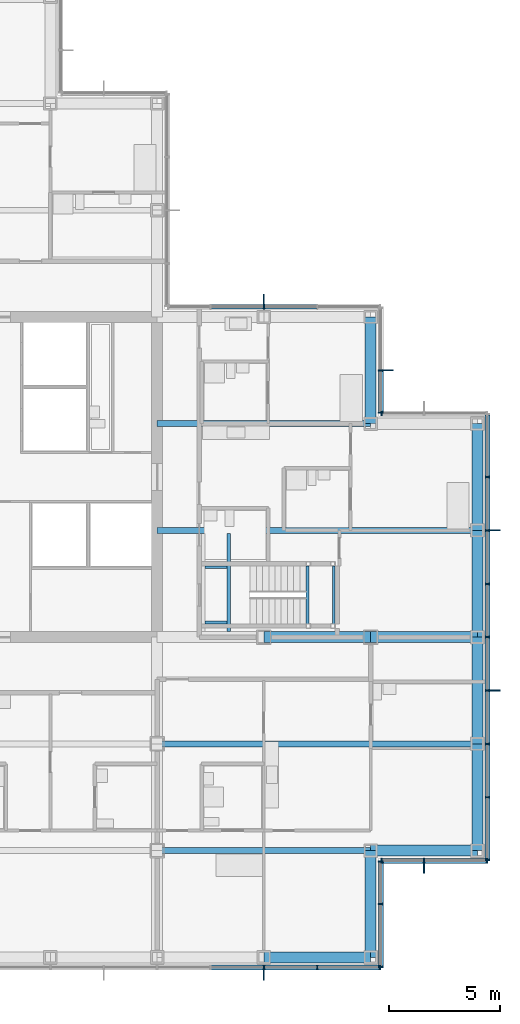
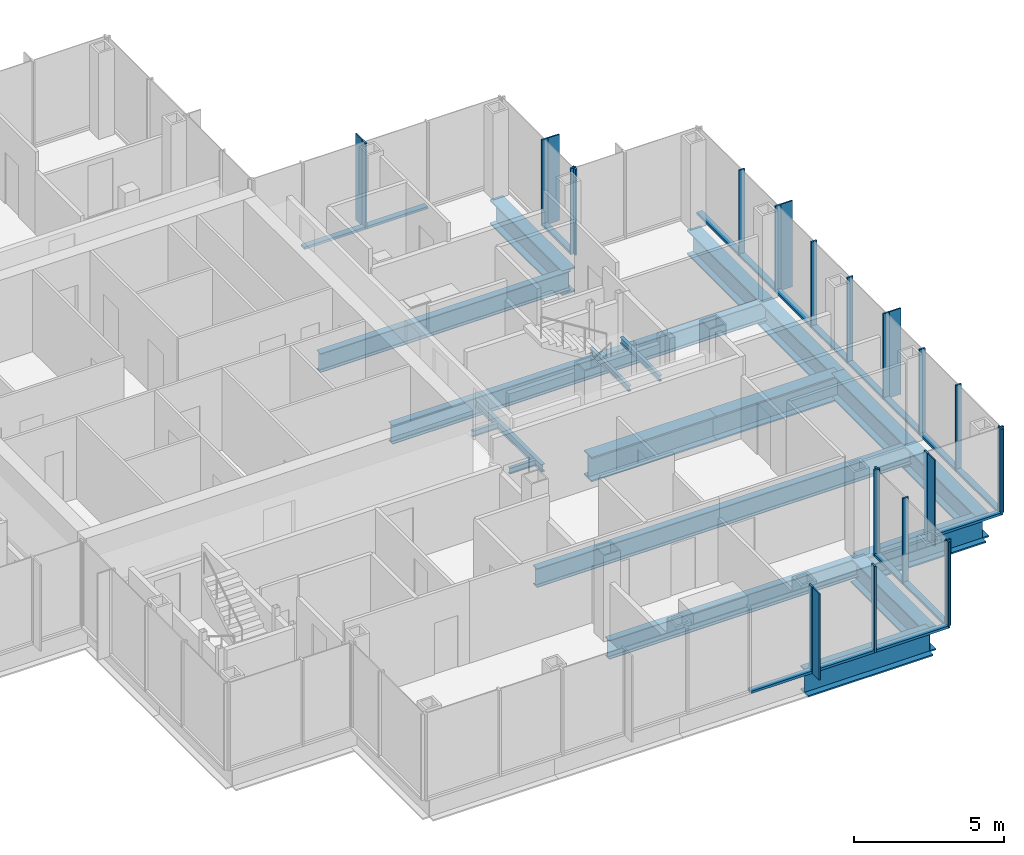
# One storey, part 8 of 20: 45 members, 19 beams, 7 elements without a shape of their own.
"""IFC4 building model written with IfcOpenShell, lengths in metres."""

from ifc_helpers import new_model, si_unit, direction, frame, origin, origin_2d, place, context, subcontext, project, spatial, rectangle, i_section, extrude, material, material_profile, profile_set, type_object, element, aggregate, save


model = new_model("IFC4")

# Units and contexts
model_context = context("Model", 3, precision=1e-05, world=origin(), true_north=direction((0.0, 1.0)))
body_context = subcontext(model_context, "Body", "Model", "MODEL_VIEW")
ifc_project = project(units=[si_unit("LENGTHUNIT", "METRE"), si_unit("AREAUNIT", "SQUARE_METRE"), si_unit("VOLUMEUNIT", "CUBIC_METRE"), si_unit("PLANEANGLEUNIT", "RADIAN"), si_unit("MASSUNIT", "GRAM", prefix="KILO")], contexts=[model_context])

# Site, building, storey
site_placement = place(None, origin())
site = spatial("IfcSite", under=ifc_project, at=site_placement, CompositionType="ELEMENT")
building_placement = place(site_placement, origin())
building = spatial("IfcBuilding", under=site, at=building_placement, Name="Kvirike Care Tower", CompositionType="ELEMENT")
storey_placement = place(building_placement, frame((0.0, 0.0, 126.0)))
storey = spatial("IfcBuildingStorey", under=building, at=storey_placement, Name="L34", CompositionType="ELEMENT", Elevation=126.0)

# Curtain wall, members
ifc_material_1 = material(Name="Anodised aluminium stick system", Category="aluminium")
curtain_wall_type = type_object("IfcCurtainWallType", Name="CW-B STICK CURTAIN WALL", PredefinedType="NOTDEFINED", material=ifc_material_1)
curtain_wall_1_placement = place(storey_placement, origin())
curtain_wall_1 = element("IfcCurtainWall", 1, at=curtain_wall_1_placement, inside=storey, type_object=curtain_wall_type, Name="Curtain wall L34 face 1", PredefinedType="NOTDEFINED")
ifc_material_2 = material(Name="Bronze anodised aluminium fin", Category="aluminium")
ifc_material_profile_1 = material_profile(ifc_material_2, rectangle(XDim=0.050048828125, YDim=0.449951171875, at=origin_2d()), Name="BRONZE FIN 450")
ifc_profile_set_1 = profile_set([ifc_material_profile_1], Name="Bronze anodised aluminium fin")
member_type_1 = type_object("IfcMemberType", Name="BRONZE FIN 450", PredefinedType="USERDEFINED", material=ifc_profile_set_1)
member_1_placement = place(storey_placement, frame((43.9951171875, 26.39990234375, 0.0), z_axis=(0.0, 0.0, 1.0), x_axis=(0.0, 1.0, 0.0)))
member_1 = element("IfcMember", 2, at=member_1_placement, type_object=member_type_1, Name="Bronze fin L34 face 1.4", ObjectType="FIN", PredefinedType="USERDEFINED", context=body_context, shape_type="SweptSolid", body=[
    extrude(rectangle(XDim=0.050048828125, YDim=0.449951171875, at=origin_2d()), origin(), (0.0, 0.0, 1.0), 3.5),
])
member_2_placement = place(storey_placement, frame((43.9951171875, 33.60009765625, 0.0), z_axis=(0.0, 0.0, 1.0), x_axis=(0.0, 1.0, 0.0)))
member_2 = element("IfcMember", 3, at=member_2_placement, type_object=member_type_1, Name="Bronze fin L34 face 1.7", ObjectType="FIN", PredefinedType="USERDEFINED", context=body_context, shape_type="SweptSolid", body=[
    extrude(rectangle(XDim=0.050048828125, YDim=0.449951171875, at=origin_2d()), origin(), (0.0, 0.0, 1.0), 3.5),
])

# Curtain wall, member
curtain_wall_2_placement = place(storey_placement, origin())
curtain_wall_2 = element("IfcCurtainWall", 4, at=curtain_wall_2_placement, inside=storey, type_object=curtain_wall_type, Name="Curtain wall L34 face 3", PredefinedType="NOTDEFINED")
member_3_placement = place(storey_placement, frame((39.195068359375, 40.800048828125, 0.0), z_axis=(0.0, 0.0, 1.0), x_axis=(0.0, 1.0, 0.0)))
member_3 = element("IfcMember", 5, at=member_3_placement, type_object=member_type_1, Name="Bronze fin L34 face 3.2", ObjectType="FIN", PredefinedType="USERDEFINED", context=body_context, shape_type="SweptSolid", body=[
    extrude(rectangle(XDim=0.050048828125, YDim=0.449951171875, at=origin_2d()), origin(), (0.0, 0.0, 1.0), 3.5),
])

curtain_wall_3_placement = place(storey_placement, origin())
curtain_wall_3 = element("IfcCurtainWall", 6, at=curtain_wall_3_placement, inside=storey, type_object=curtain_wall_type, Name="Curtain wall L34 face 4", PredefinedType="NOTDEFINED")
member_4_placement = place(storey_placement, frame((33.60009765625, 43.9951171875, 0.0), z_axis=(0.0, 0.0, 1.0), x_axis=(-1.0, 0.0, 0.0)))
member_4 = element("IfcMember", 7, at=member_4_placement, type_object=member_type_1, Name="Bronze fin L34 face 4.3", ObjectType="FIN", PredefinedType="USERDEFINED", context=body_context, shape_type="SweptSolid", body=[
    extrude(rectangle(XDim=0.050048828125, YDim=0.449951171875, at=origin_2d()), origin(), (0.0, 0.0, 1.0), 3.5),
])

curtain_wall_4_placement = place(storey_placement, origin())
curtain_wall_4 = element("IfcCurtainWall", 8, at=curtain_wall_4_placement, inside=storey, type_object=curtain_wall_type, Name="Curtain wall L34 face 18", PredefinedType="NOTDEFINED")
member_5_placement = place(storey_placement, frame((33.60009765625, 13.60498046875, 0.0), z_axis=(0.0, 0.0, 1.0), x_axis=(1.0, 0.0, 0.0)))
member_5 = element("IfcMember", 9, at=member_5_placement, type_object=member_type_1, Name="Bronze fin L34 face 18.7", ObjectType="FIN", PredefinedType="USERDEFINED", context=body_context, shape_type="SweptSolid", body=[
    extrude(rectangle(XDim=0.050048828125, YDim=0.449951171875, at=origin_2d()), origin(), (0.0, 0.0, 1.0), 3.5),
])

curtain_wall_5_placement = place(storey_placement, origin())
curtain_wall_5 = element("IfcCurtainWall", 10, at=curtain_wall_5_placement, inside=storey, type_object=curtain_wall_type, Name="Curtain wall L34 face 20", PredefinedType="NOTDEFINED")
member_6_placement = place(storey_placement, frame((40.800048828125, 18.405029296875, 0.0), z_axis=(0.0, 0.0, 1.0), x_axis=(1.0, 0.0, 0.0)))
member_6 = element("IfcMember", 11, at=member_6_placement, type_object=member_type_1, Name="Bronze fin L34 face 20.2", ObjectType="FIN", PredefinedType="USERDEFINED", context=body_context, shape_type="SweptSolid", body=[
    extrude(rectangle(XDim=0.050048828125, YDim=0.449951171875, at=origin_2d()), origin(), (0.0, 0.0, 1.0), 3.5),
])

# Member
ifc_material_3 = material(Name="Bronze anodised aluminium mullion", Category="aluminium")
ifc_material_profile_2 = material_profile(ifc_material_3, rectangle(XDim=0.06494140625, YDim=0.219970703125, at=origin_2d()), Name="CW-B MULLION 65x220")
ifc_profile_set_2 = profile_set([ifc_material_profile_2], Name="Bronze anodised aluminium mullion")
member_type_2 = type_object("IfcMemberType", Name="CW-B MULLION 65x220", PredefinedType="MULLION", material=ifc_profile_set_2)
member_7_placement = place(storey_placement, frame((43.659912109375, 18.7724609375, 0.0), z_axis=(0.0, 0.0, 1.0), x_axis=(0.0, 1.0, 0.0)))
member_7 = element("IfcMember", 12, at=member_7_placement, type_object=member_type_2, Name="CW-B mullion L34 face 1.1", PredefinedType="MULLION", context=body_context, shape_type="SweptSolid", body=[
    extrude(rectangle(XDim=0.06494140625, YDim=0.219970703125, at=origin_2d()), origin(), (0.0, 0.0, 1.0), 3.5),
])

member_8_placement = place(storey_placement, frame((43.659912109375, 21.60009765625, 0.0), z_axis=(0.0, 0.0, 1.0), x_axis=(0.0, 1.0, 0.0)))
member_8 = element("IfcMember", 13, at=member_8_placement, type_object=member_type_2, Name="CW-B mullion L34 face 1.2", PredefinedType="MULLION", context=body_context, shape_type="SweptSolid", body=[
    extrude(rectangle(XDim=0.06494140625, YDim=0.219970703125, at=origin_2d()), origin(), (0.0, 0.0, 1.0), 3.5),
])

member_9_placement = place(storey_placement, frame((43.659912109375, 24.0, 0.0), z_axis=(0.0, 0.0, 1.0), x_axis=(0.0, 1.0, 0.0)))
member_9 = element("IfcMember", 14, at=member_9_placement, type_object=member_type_2, Name="CW-B mullion L34 face 1.3", PredefinedType="MULLION", context=body_context, shape_type="SweptSolid", body=[
    extrude(rectangle(XDim=0.06494140625, YDim=0.219970703125, at=origin_2d()), origin(), (0.0, 0.0, 1.0), 3.5),
])

member_10_placement = place(storey_placement, frame((43.659912109375, 26.39990234375, 0.0), z_axis=(0.0, 0.0, 1.0), x_axis=(0.0, 1.0, 0.0)))
member_10 = element("IfcMember", 15, at=member_10_placement, type_object=member_type_2, Name="CW-B mullion L34 face 1.4", PredefinedType="MULLION", context=body_context, shape_type="SweptSolid", body=[
    extrude(rectangle(XDim=0.06494140625, YDim=0.219970703125, at=origin_2d()), origin(), (0.0, 0.0, 1.0), 3.5),
])

member_11_placement = place(storey_placement, frame((43.659912109375, 28.800048828125, 0.0), z_axis=(0.0, 0.0, 1.0), x_axis=(0.0, 1.0, 0.0)))
member_11 = element("IfcMember", 16, at=member_11_placement, type_object=member_type_2, Name="CW-B mullion L34 face 1.5", PredefinedType="MULLION", context=body_context, shape_type="SweptSolid", body=[
    extrude(rectangle(XDim=0.06494140625, YDim=0.219970703125, at=origin_2d()), origin(), (0.0, 0.0, 1.0), 3.5),
])

member_12_placement = place(storey_placement, frame((43.659912109375, 31.199951171875, 0.0), z_axis=(0.0, 0.0, 1.0), x_axis=(0.0, 1.0, 0.0)))
member_12 = element("IfcMember", 17, at=member_12_placement, type_object=member_type_2, Name="CW-B mullion L34 face 1.6", PredefinedType="MULLION", context=body_context, shape_type="SweptSolid", body=[
    extrude(rectangle(XDim=0.06494140625, YDim=0.219970703125, at=origin_2d()), origin(), (0.0, 0.0, 1.0), 3.5),
])

member_13_placement = place(storey_placement, frame((43.659912109375, 33.60009765625, 0.0), z_axis=(0.0, 0.0, 1.0), x_axis=(0.0, 1.0, 0.0)))
member_13 = element("IfcMember", 18, at=member_13_placement, type_object=member_type_2, Name="CW-B mullion L34 face 1.7", PredefinedType="MULLION", context=body_context, shape_type="SweptSolid", body=[
    extrude(rectangle(XDim=0.06494140625, YDim=0.219970703125, at=origin_2d()), origin(), (0.0, 0.0, 1.0), 3.5),
])

member_14_placement = place(storey_placement, frame((43.659912109375, 36.0, 0.0), z_axis=(0.0, 0.0, 1.0), x_axis=(0.0, 1.0, 0.0)))
member_14 = element("IfcMember", 19, at=member_14_placement, type_object=member_type_2, Name="CW-B mullion L34 face 1.8", PredefinedType="MULLION", context=body_context, shape_type="SweptSolid", body=[
    extrude(rectangle(XDim=0.06494140625, YDim=0.219970703125, at=origin_2d()), origin(), (0.0, 0.0, 1.0), 3.5),
])

# Curtain wall, member
curtain_wall_6_placement = place(storey_placement, origin())
curtain_wall_6 = element("IfcCurtainWall", 20, at=curtain_wall_6_placement, inside=storey, type_object=curtain_wall_type, Name="Curtain wall L34 face 2", PredefinedType="NOTDEFINED")
member_15_placement = place(storey_placement, frame((38.892578125, 38.860107421875, 0.0), z_axis=(0.0, 0.0, 1.0), x_axis=(-1.0, 0.0, 0.0)))
member_15 = element("IfcMember", 21, at=member_15_placement, type_object=member_type_2, Name="CW-B mullion L34 face 2.3", PredefinedType="MULLION", context=body_context, shape_type="SweptSolid", body=[
    extrude(rectangle(XDim=0.06494140625, YDim=0.219970703125, at=origin_2d()), origin(), (0.0, 0.0, 1.0), 3.5),
])
aggregate(curtain_wall_6, [member_15])

# Member
member_16_placement = place(storey_placement, frame((38.860107421875, 38.892578125, 0.0), z_axis=(0.0, 0.0, 1.0), x_axis=(0.0, 1.0, 0.0)))
member_16 = element("IfcMember", 22, at=member_16_placement, type_object=member_type_2, Name="CW-B mullion L34 face 3.1", PredefinedType="MULLION", context=body_context, shape_type="SweptSolid", body=[
    extrude(rectangle(XDim=0.06494140625, YDim=0.219970703125, at=origin_2d()), origin(), (0.0, 0.0, 1.0), 3.5),
])

member_17_placement = place(storey_placement, frame((38.860107421875, 40.800048828125, 0.0), z_axis=(0.0, 0.0, 1.0), x_axis=(0.0, 1.0, 0.0)))
member_17 = element("IfcMember", 23, at=member_17_placement, type_object=member_type_2, Name="CW-B mullion L34 face 3.2", PredefinedType="MULLION", context=body_context, shape_type="SweptSolid", body=[
    extrude(rectangle(XDim=0.06494140625, YDim=0.219970703125, at=origin_2d()), origin(), (0.0, 0.0, 1.0), 3.5),
])

member_18_placement = place(storey_placement, frame((33.60009765625, 43.659912109375, 0.0), z_axis=(0.0, 0.0, 1.0), x_axis=(-1.0, 0.0, 0.0)))
member_18 = element("IfcMember", 24, at=member_18_placement, type_object=member_type_2, Name="CW-B mullion L34 face 4.3", PredefinedType="MULLION", context=body_context, shape_type="SweptSolid", body=[
    extrude(rectangle(XDim=0.06494140625, YDim=0.219970703125, at=origin_2d()), origin(), (0.0, 0.0, 1.0), 3.5),
])

member_19_placement = place(storey_placement, frame((33.60009765625, 13.93994140625, 0.0), z_axis=(0.0, 0.0, 1.0), x_axis=(1.0, 0.0, 0.0)))
member_19 = element("IfcMember", 25, at=member_19_placement, type_object=member_type_2, Name="CW-B mullion L34 face 18.7", PredefinedType="MULLION", context=body_context, shape_type="SweptSolid", body=[
    extrude(rectangle(XDim=0.06494140625, YDim=0.219970703125, at=origin_2d()), origin(), (0.0, 0.0, 1.0), 3.5),
])

member_20_placement = place(storey_placement, frame((36.0, 13.93994140625, 0.0), z_axis=(0.0, 0.0, 1.0), x_axis=(1.0, 0.0, 0.0)))
member_20 = element("IfcMember", 26, at=member_20_placement, type_object=member_type_2, Name="CW-B mullion L34 face 18.8", PredefinedType="MULLION", context=body_context, shape_type="SweptSolid", body=[
    extrude(rectangle(XDim=0.06494140625, YDim=0.219970703125, at=origin_2d()), origin(), (0.0, 0.0, 1.0), 3.5),
])

member_21_placement = place(storey_placement, frame((38.827392578125, 13.93994140625, 0.0), z_axis=(0.0, 0.0, 1.0), x_axis=(1.0, 0.0, 0.0)))
member_21 = element("IfcMember", 27, at=member_21_placement, type_object=member_type_2, Name="CW-B mullion L34 face 18.9", PredefinedType="MULLION", context=body_context, shape_type="SweptSolid", body=[
    extrude(rectangle(XDim=0.06494140625, YDim=0.219970703125, at=origin_2d()), origin(), (0.0, 0.0, 1.0), 3.5),
])

# Curtain wall, members
curtain_wall_7_placement = place(storey_placement, origin())
curtain_wall_7 = element("IfcCurtainWall", 28, at=curtain_wall_7_placement, inside=storey, type_object=curtain_wall_type, Name="Curtain wall L34 face 19", PredefinedType="NOTDEFINED")
member_22_placement = place(storey_placement, frame((38.860107421875, 13.972412109375, 0.0), z_axis=(0.0, 0.0, 1.0), x_axis=(0.0, 1.0, 0.0)))
member_22 = element("IfcMember", 29, at=member_22_placement, type_object=member_type_2, Name="CW-B mullion L34 face 19.1", PredefinedType="MULLION", context=body_context, shape_type="SweptSolid", body=[
    extrude(rectangle(XDim=0.06494140625, YDim=0.219970703125, at=origin_2d()), origin(), (0.0, 0.0, 1.0), 3.5),
])
member_23_placement = place(storey_placement, frame((38.860107421875, 16.800048828125, 0.0), z_axis=(0.0, 0.0, 1.0), x_axis=(0.0, 1.0, 0.0)))
member_23 = element("IfcMember", 30, at=member_23_placement, type_object=member_type_2, Name="CW-B mullion L34 face 19.2", PredefinedType="MULLION", context=body_context, shape_type="SweptSolid", body=[
    extrude(rectangle(XDim=0.06494140625, YDim=0.219970703125, at=origin_2d()), origin(), (0.0, 0.0, 1.0), 3.5),
])
member_24_placement = place(storey_placement, frame((38.860107421875, 18.70751953125, 0.0), z_axis=(0.0, 0.0, 1.0), x_axis=(0.0, 1.0, 0.0)))
member_24 = element("IfcMember", 31, at=member_24_placement, type_object=member_type_2, Name="CW-B mullion L34 face 19.3", PredefinedType="MULLION", context=body_context, shape_type="SweptSolid", body=[
    extrude(rectangle(XDim=0.06494140625, YDim=0.219970703125, at=origin_2d()), origin(), (0.0, 0.0, 1.0), 3.5),
])

# Member
member_25_placement = place(storey_placement, frame((38.892578125, 18.739990234375, 0.0), z_axis=(0.0, 0.0, 1.0), x_axis=(1.0, 0.0, 0.0)))
member_25 = element("IfcMember", 32, at=member_25_placement, type_object=member_type_2, Name="CW-B mullion L34 face 20.1", PredefinedType="MULLION", context=body_context, shape_type="SweptSolid", body=[
    extrude(rectangle(XDim=0.06494140625, YDim=0.219970703125, at=origin_2d()), origin(), (0.0, 0.0, 1.0), 3.5),
])

member_26_placement = place(storey_placement, frame((40.800048828125, 18.739990234375, 0.0), z_axis=(0.0, 0.0, 1.0), x_axis=(1.0, 0.0, 0.0)))
member_26 = element("IfcMember", 33, at=member_26_placement, type_object=member_type_2, Name="CW-B mullion L34 face 20.2", PredefinedType="MULLION", context=body_context, shape_type="SweptSolid", body=[
    extrude(rectangle(XDim=0.06494140625, YDim=0.219970703125, at=origin_2d()), origin(), (0.0, 0.0, 1.0), 3.5),
])

member_27_placement = place(storey_placement, frame((43.62744140625, 18.739990234375, 0.0), z_axis=(0.0, 0.0, 1.0), x_axis=(1.0, 0.0, 0.0)))
member_27 = element("IfcMember", 34, at=member_27_placement, type_object=member_type_2, Name="CW-B mullion L34 face 20.3", PredefinedType="MULLION", context=body_context, shape_type="SweptSolid", body=[
    extrude(rectangle(XDim=0.06494140625, YDim=0.219970703125, at=origin_2d()), origin(), (0.0, 0.0, 1.0), 3.5),
])

ifc_material_4 = material(Name="Bronze anodised aluminium transom", Category="aluminium")
ifc_material_profile_3 = material_profile(ifc_material_4, rectangle(XDim=0.219970703125, YDim=0.10009765625, at=origin_2d()), Name="CW-B TRANSOM 220x100")
ifc_profile_set_3 = profile_set([ifc_material_profile_3], Name="Bronze anodised aluminium transom")
member_type_3 = type_object("IfcMemberType", Name="CW-B TRANSOM 220x100", PredefinedType="USERDEFINED", material=ifc_profile_set_3)
member_28_placement = place(storey_placement, frame((43.659912109375, 18.804931640625, 0.050048828125), z_axis=(0.0, 1.0, 0.0), x_axis=(-1.0, 0.0, 0.0)))
member_28 = element("IfcMember", 35, at=member_28_placement, type_object=member_type_3, Name="CW-B sill transom L34 face 1.1", ObjectType="TRANSOM", PredefinedType="USERDEFINED", context=body_context, shape_type="SweptSolid", body=[
    extrude(rectangle(XDim=0.219970703125, YDim=0.10009765625, at=origin_2d()), origin(), (0.0, 0.0, 1.0), 2.762451171875),
])

member_29_placement = place(storey_placement, frame((43.659912109375, 21.632568359375, 0.050048828125), z_axis=(0.0, 1.0, 0.0), x_axis=(-1.0, 0.0, 0.0)))
member_29 = element("IfcMember", 36, at=member_29_placement, type_object=member_type_3, Name="CW-B sill transom L34 face 1.2", ObjectType="TRANSOM", PredefinedType="USERDEFINED", context=body_context, shape_type="SweptSolid", body=[
    extrude(rectangle(XDim=0.219970703125, YDim=0.10009765625, at=origin_2d()), origin(), (0.0, 0.0, 1.0), 2.3349609375),
])

member_30_placement = place(storey_placement, frame((43.659912109375, 24.032470703125, 0.050048828125), z_axis=(0.0, 1.0, 0.0), x_axis=(-1.0, 0.0, 0.0)))
member_30 = element("IfcMember", 37, at=member_30_placement, type_object=member_type_3, Name="CW-B sill transom L34 face 1.3", ObjectType="TRANSOM", PredefinedType="USERDEFINED", context=body_context, shape_type="SweptSolid", body=[
    extrude(rectangle(XDim=0.219970703125, YDim=0.10009765625, at=origin_2d()), origin(), (0.0, 0.0, 1.0), 2.3349609375),
])

member_31_placement = place(storey_placement, frame((43.659912109375, 26.4326171875, 0.050048828125), z_axis=(0.0, 1.0, 0.0), x_axis=(-1.0, 0.0, 0.0)))
member_31 = element("IfcMember", 38, at=member_31_placement, type_object=member_type_3, Name="CW-B sill transom L34 face 1.4", ObjectType="TRANSOM", PredefinedType="USERDEFINED", context=body_context, shape_type="SweptSolid", body=[
    extrude(rectangle(XDim=0.219970703125, YDim=0.10009765625, at=origin_2d()), origin(), (0.0, 0.0, 1.0), 2.3349609375),
])

member_32_placement = place(storey_placement, frame((43.659912109375, 28.83251953125, 0.050048828125), z_axis=(0.0, 1.0, 0.0), x_axis=(-1.0, 0.0, 0.0)))
member_32 = element("IfcMember", 39, at=member_32_placement, type_object=member_type_3, Name="CW-B sill transom L34 face 1.5", ObjectType="TRANSOM", PredefinedType="USERDEFINED", context=body_context, shape_type="SweptSolid", body=[
    extrude(rectangle(XDim=0.219970703125, YDim=0.10009765625, at=origin_2d()), origin(), (0.0, 0.0, 1.0), 2.3349609375),
])

member_33_placement = place(storey_placement, frame((43.659912109375, 31.232421875, 0.050048828125), z_axis=(0.0, 1.0, 0.0), x_axis=(-1.0, 0.0, 0.0)))
member_33 = element("IfcMember", 40, at=member_33_placement, type_object=member_type_3, Name="CW-B sill transom L34 face 1.6", ObjectType="TRANSOM", PredefinedType="USERDEFINED", context=body_context, shape_type="SweptSolid", body=[
    extrude(rectangle(XDim=0.219970703125, YDim=0.10009765625, at=origin_2d()), origin(), (0.0, 0.0, 1.0), 2.3349609375),
])

member_34_placement = place(storey_placement, frame((43.659912109375, 33.632568359375, 0.050048828125), z_axis=(0.0, 1.0, 0.0), x_axis=(-1.0, 0.0, 0.0)))
member_34 = element("IfcMember", 41, at=member_34_placement, type_object=member_type_3, Name="CW-B sill transom L34 face 1.7", ObjectType="TRANSOM", PredefinedType="USERDEFINED", context=body_context, shape_type="SweptSolid", body=[
    extrude(rectangle(XDim=0.219970703125, YDim=0.10009765625, at=origin_2d()), origin(), (0.0, 0.0, 1.0), 2.3349609375),
])

member_35_placement = place(storey_placement, frame((43.659912109375, 36.032470703125, 0.050048828125), z_axis=(0.0, 1.0, 0.0), x_axis=(-1.0, 0.0, 0.0)))
member_35 = element("IfcMember", 42, at=member_35_placement, type_object=member_type_3, Name="CW-B sill transom L34 face 1.8", ObjectType="TRANSOM", PredefinedType="USERDEFINED", context=body_context, shape_type="SweptSolid", body=[
    extrude(rectangle(XDim=0.219970703125, YDim=0.10009765625, at=origin_2d()), origin(), (0.0, 0.0, 1.0), 2.762451171875),
])

aggregate(curtain_wall_1, [member_7, member_8, member_9, member_10, member_1, member_11, member_12, member_13, member_2, member_14, member_28, member_29, member_30, member_31, member_32, member_33, member_34, member_35])

member_36_placement = place(storey_placement, frame((38.860107421875, 38.925048828125, 0.050048828125), z_axis=(0.0, 1.0, 0.0), x_axis=(-1.0, 0.0, 0.0)))
member_36 = element("IfcMember", 43, at=member_36_placement, type_object=member_type_3, Name="CW-B sill transom L34 face 3.1", ObjectType="TRANSOM", PredefinedType="USERDEFINED", context=body_context, shape_type="SweptSolid", body=[
    extrude(rectangle(XDim=0.219970703125, YDim=0.10009765625, at=origin_2d()), origin(), (0.0, 0.0, 1.0), 1.842529296875),
])

aggregate(curtain_wall_2, [member_16, member_17, member_3, member_36])

member_37_placement = place(storey_placement, frame((35.967529296875, 43.659912109375, 0.050048828125), z_axis=(-1.0, 0.0, 0.0), x_axis=(0.0, -1.0, 0.0)))
member_37 = element("IfcMember", 44, at=member_37_placement, type_object=member_type_3, Name="CW-B sill transom L34 face 4.2", ObjectType="TRANSOM", PredefinedType="USERDEFINED", context=body_context, shape_type="SweptSolid", body=[
    extrude(rectangle(XDim=0.219970703125, YDim=0.10009765625, at=origin_2d()), origin(), (0.0, 0.0, 1.0), 2.3349609375),
])

member_38_placement = place(storey_placement, frame((33.5673828125, 43.659912109375, 0.050048828125), z_axis=(-1.0, 0.0, 0.0), x_axis=(0.0, -1.0, 0.0)))
member_38 = element("IfcMember", 45, at=member_38_placement, type_object=member_type_3, Name="CW-B sill transom L34 face 4.3", ObjectType="TRANSOM", PredefinedType="USERDEFINED", context=body_context, shape_type="SweptSolid", body=[
    extrude(rectangle(XDim=0.219970703125, YDim=0.10009765625, at=origin_2d()), origin(), (0.0, 0.0, 1.0), 2.3349609375),
])

aggregate(curtain_wall_3, [member_18, member_4, member_37, member_38])

member_39_placement = place(storey_placement, frame((31.232421875, 13.93994140625, 0.050048828125), z_axis=(1.0, 0.0, 0.0), x_axis=(0.0, 1.0, 0.0)))
member_39 = element("IfcMember", 46, at=member_39_placement, type_object=member_type_3, Name="CW-B sill transom L34 face 18.6", ObjectType="TRANSOM", PredefinedType="USERDEFINED", context=body_context, shape_type="SweptSolid", body=[
    extrude(rectangle(XDim=0.219970703125, YDim=0.10009765625, at=origin_2d()), origin(), (0.0, 0.0, 1.0), 2.3349609375),
])

member_40_placement = place(storey_placement, frame((33.632568359375, 13.93994140625, 0.050048828125), z_axis=(1.0, 0.0, 0.0), x_axis=(0.0, 1.0, 0.0)))
member_40 = element("IfcMember", 47, at=member_40_placement, type_object=member_type_3, Name="CW-B sill transom L34 face 18.7", ObjectType="TRANSOM", PredefinedType="USERDEFINED", context=body_context, shape_type="SweptSolid", body=[
    extrude(rectangle(XDim=0.219970703125, YDim=0.10009765625, at=origin_2d()), origin(), (0.0, 0.0, 1.0), 2.3349609375),
])

member_41_placement = place(storey_placement, frame((36.032470703125, 13.93994140625, 0.050048828125), z_axis=(1.0, 0.0, 0.0), x_axis=(0.0, 1.0, 0.0)))
member_41 = element("IfcMember", 48, at=member_41_placement, type_object=member_type_3, Name="CW-B sill transom L34 face 18.8", ObjectType="TRANSOM", PredefinedType="USERDEFINED", context=body_context, shape_type="SweptSolid", body=[
    extrude(rectangle(XDim=0.219970703125, YDim=0.10009765625, at=origin_2d()), origin(), (0.0, 0.0, 1.0), 2.762451171875),
])

aggregate(curtain_wall_4, [member_19, member_5, member_20, member_21, member_39, member_40, member_41])

member_42_placement = place(storey_placement, frame((38.860107421875, 14.0048828125, 0.050048828125), z_axis=(0.0, 1.0, 0.0), x_axis=(-1.0, 0.0, 0.0)))
member_42 = element("IfcMember", 49, at=member_42_placement, type_object=member_type_3, Name="CW-B sill transom L34 face 19.1", ObjectType="TRANSOM", PredefinedType="USERDEFINED", context=body_context, shape_type="SweptSolid", body=[
    extrude(rectangle(XDim=0.219970703125, YDim=0.10009765625, at=origin_2d()), origin(), (0.0, 0.0, 1.0), 2.7626953125),
])

member_43_placement = place(storey_placement, frame((38.860107421875, 16.83251953125, 0.050048828125), z_axis=(0.0, 1.0, 0.0), x_axis=(-1.0, 0.0, 0.0)))
member_43 = element("IfcMember", 50, at=member_43_placement, type_object=member_type_3, Name="CW-B sill transom L34 face 19.2", ObjectType="TRANSOM", PredefinedType="USERDEFINED", context=body_context, shape_type="SweptSolid", body=[
    extrude(rectangle(XDim=0.219970703125, YDim=0.10009765625, at=origin_2d()), origin(), (0.0, 0.0, 1.0), 1.842529296875),
])

aggregate(curtain_wall_7, [member_22, member_23, member_24, member_42, member_43])

member_44_placement = place(storey_placement, frame((38.925048828125, 18.739990234375, 0.050048828125), z_axis=(1.0, 0.0, 0.0), x_axis=(0.0, 1.0, 0.0)))
member_44 = element("IfcMember", 51, at=member_44_placement, type_object=member_type_3, Name="CW-B sill transom L34 face 20.1", ObjectType="TRANSOM", PredefinedType="USERDEFINED", context=body_context, shape_type="SweptSolid", body=[
    extrude(rectangle(XDim=0.219970703125, YDim=0.10009765625, at=origin_2d()), origin(), (0.0, 0.0, 1.0), 1.842529296875),
])

member_45_placement = place(storey_placement, frame((40.83251953125, 18.739990234375, 0.050048828125), z_axis=(1.0, 0.0, 0.0), x_axis=(0.0, 1.0, 0.0)))
member_45 = element("IfcMember", 52, at=member_45_placement, type_object=member_type_3, Name="CW-B sill transom L34 face 20.2", ObjectType="TRANSOM", PredefinedType="USERDEFINED", context=body_context, shape_type="SweptSolid", body=[
    extrude(rectangle(XDim=0.219970703125, YDim=0.10009765625, at=origin_2d()), origin(), (0.0, 0.0, 1.0), 2.762451171875),
])

aggregate(curtain_wall_5, [member_25, member_26, member_6, member_27, member_44, member_45])

# Beams
ifc_material_5 = material(Name="Steel S355", Category="steel")
ifc_material_profile_4 = material_profile(ifc_material_5, i_section(OverallWidth=0.26806640625, OverallDepth=0.77001953125, WebThickness=0.015625, FlangeThickness=0.025390625, FilletRadius=0.01708984375, at=origin_2d()), Name="IPE 750x196")
ifc_profile_set_4 = profile_set([ifc_material_profile_4], Name="Steel S355")
beam_type_1 = type_object("IfcBeamType", Name="FLOOR BEAM IPE 750x196", PredefinedType="BEAM", material=ifc_profile_set_4)
beam_1_placement = place(storey_placement, frame((28.800048828125, 19.199951171875, -0.554931640625), z_axis=(1.0, 0.0, 0.0), x_axis=(0.0, 1.0, 0.0)))
element("IfcBeam", 53, at=beam_1_placement, inside=storey, type_object=beam_type_1, Name="Floor Beam E9-E11 L34", PredefinedType="BEAM", context=body_context, shape_type="SweptSolid", body=[
    extrude(i_section(OverallWidth=0.26806640625, OverallDepth=0.77001953125, WebThickness=0.015625, FlangeThickness=0.025390625, FilletRadius=0.01708984375, at=origin_2d()), origin(), (0.0, 0.0, 1.0), 9.599853515625),
])
for number, where, z_axis, x_axis, name in (
    (54, (28.800048828125, 24.0, -0.554931640625), (1.0, 0.0, 0.0), (0.0, 1.0, 0.0), "Floor Beam F9-F12 L34"),
    (55, (28.800048828125, 33.60009765625, -0.554931640625), (1.0, 0.0, 0.0), (0.0, 1.0, 0.0), "Floor Beam H9-H12 L34"),
):
    element("IfcBeam", number, at=place(storey_placement, frame(where, z_axis=z_axis, x_axis=x_axis)), inside=storey, type_object=beam_type_1, Name=name, PredefinedType="BEAM", context=body_context, shape_type="SweptSolid", body=[
        extrude(i_section(OverallWidth=0.26806640625, OverallDepth=0.77001953125, WebThickness=0.015625, FlangeThickness=0.025390625, FilletRadius=0.01708984375, at=origin_2d()), origin(), (0.0, 0.0, 1.0), 14.39990234375),
    ])
beam_2_placement = place(storey_placement, frame((28.800048828125, 38.39990234375, -0.554931640625), z_axis=(1.0, 0.0, 0.0), x_axis=(0.0, 1.0, 0.0)))
element("IfcBeam", 56, at=beam_2_placement, inside=storey, type_object=beam_type_1, Name="Floor Beam J9-J11 L34", PredefinedType="BEAM", context=body_context, shape_type="SweptSolid", body=[
    extrude(i_section(OverallWidth=0.26806640625, OverallDepth=0.77001953125, WebThickness=0.015625, FlangeThickness=0.025390625, FilletRadius=0.01708984375, at=origin_2d()), origin(), (0.0, 0.0, 1.0), 9.599853515625),
])
ifc_material_6 = material(Name="Steel S355", Category="steel")
ifc_material_profile_5 = material_profile(ifc_material_6, i_section(OverallWidth=0.5, OverallDepth=1.0, WebThickness=0.030029296875, FlangeThickness=0.06005859375, at=origin_2d()), Name="PG 1000x500x30x60")
ifc_profile_set_5 = profile_set([ifc_material_profile_5], Name="Steel S355")
beam_type_2 = type_object("IfcBeamType", Name="FRAME BEAM PG 1000x500x30x60", PredefinedType="BEAM", material=ifc_profile_set_5)
beam_3_placement = place(storey_placement, frame((33.60009765625, 28.800048828125, -0.669921875), z_axis=(1.0, 0.0, 0.0), x_axis=(0.0, 1.0, 0.0)))
element("IfcBeam", 57, at=beam_3_placement, inside=storey, type_object=beam_type_2, Name="Frame Beam G10-G11 L34", PredefinedType="BEAM", context=body_context, shape_type="SweptSolid", body=[
    extrude(i_section(OverallWidth=0.5, OverallDepth=1.0, WebThickness=0.030029296875, FlangeThickness=0.06005859375, at=origin_2d()), origin(), (0.0, 0.0, 1.0), 4.7998046875),
])
beam_4_placement = place(storey_placement, frame((38.39990234375, 28.800048828125, -0.669921875), z_axis=(1.0, 0.0, 0.0), x_axis=(0.0, 1.0, 0.0)))
element("IfcBeam", 58, at=beam_4_placement, inside=storey, type_object=beam_type_2, Name="Frame Beam G11-G12 L34", PredefinedType="BEAM", context=body_context, shape_type="SweptSolid", body=[
    extrude(i_section(OverallWidth=0.5, OverallDepth=1.0, WebThickness=0.030029296875, FlangeThickness=0.06005859375, at=origin_2d()), origin(), (0.0, 0.0, 1.0), 4.800048828125),
])
ifc_material_7 = material(Name="Steel S355", Category="steel")
ifc_material_profile_6 = material_profile(ifc_material_7, i_section(OverallWidth=0.5, OverallDepth=1.0, WebThickness=0.030029296875, FlangeThickness=0.06005859375, at=origin_2d()), Name="PG 1000x500x30x60")
ifc_profile_set_6 = profile_set([ifc_material_profile_6], Name="Steel S355")
beam_type_3 = type_object("IfcBeamType", Name="SPANDREL PG 1000x500x30x60", PredefinedType="SPANDREL", material=ifc_profile_set_6)
beam_5_placement = place(storey_placement, frame((33.60009765625, 14.39990234375, -0.669921875), z_axis=(1.0, 0.0, 0.0), x_axis=(0.0, 1.0, 0.0)))
element("IfcBeam", 59, at=beam_5_placement, inside=storey, type_object=beam_type_3, Name="Spandrel D10-D11 L34", PredefinedType="SPANDREL", context=body_context, shape_type="SweptSolid", body=[
    extrude(i_section(OverallWidth=0.5, OverallDepth=1.0, WebThickness=0.030029296875, FlangeThickness=0.06005859375, at=origin_2d()), origin(), (0.0, 0.0, 1.0), 4.7998046875),
])
for number, where, z_axis, x_axis, name in (
    (60, (38.39990234375, 19.199951171875, -0.669921875), (1.0, 0.0, 0.0), (0.0, 1.0, 0.0), "Spandrel E11-E12 L34"),
    (61, (38.39990234375, 14.39990234375, -0.669921875), (0.0, 1.0, 0.0), (-1.0, 0.0, 0.0), "Spandrel D11-E11 L34"),
    (62, (38.39990234375, 38.39990234375, -0.669921875), (0.0, 1.0, 0.0), (-1.0, 0.0, 0.0), "Spandrel J11-K11 L34"),
    (63, (43.199951171875, 19.199951171875, -0.669921875), (0.0, 1.0, 0.0), (-1.0, 0.0, 0.0), "Spandrel E12-F12 L34"),
    (64, (43.199951171875, 24.0, -0.669921875), (0.0, 1.0, 0.0), (-1.0, 0.0, 0.0), "Spandrel F12-G12 L34"),
    (65, (43.199951171875, 28.800048828125, -0.669921875), (0.0, 1.0, 0.0), (-1.0, 0.0, 0.0), "Spandrel G12-H12 L34"),
):
    element("IfcBeam", number, at=place(storey_placement, frame(where, z_axis=z_axis, x_axis=x_axis)), inside=storey, type_object=beam_type_3, Name=name, PredefinedType="SPANDREL", context=body_context, shape_type="SweptSolid", body=[
        extrude(i_section(OverallWidth=0.5, OverallDepth=1.0, WebThickness=0.030029296875, FlangeThickness=0.06005859375, at=origin_2d()), origin(), (0.0, 0.0, 1.0), 4.800048828125),
    ])
beam_6_placement = place(storey_placement, frame((43.199951171875, 33.60009765625, -0.669921875), z_axis=(0.0, 1.0, 0.0), x_axis=(-1.0, 0.0, 0.0)))
element("IfcBeam", 66, at=beam_6_placement, inside=storey, type_object=beam_type_3, Name="Spandrel H12-J12 L34", PredefinedType="SPANDREL", context=body_context, shape_type="SweptSolid", body=[
    extrude(i_section(OverallWidth=0.5, OverallDepth=1.0, WebThickness=0.030029296875, FlangeThickness=0.06005859375, at=origin_2d()), origin(), (0.0, 0.0, 1.0), 4.7998046875),
])
ifc_material_8 = material(Name="Steel S355", Category="steel")
ifc_material_profile_7 = material_profile(ifc_material_8, i_section(OverallWidth=0.1201171875, OverallDepth=0.239990234375, WebThickness=0.006103515625, FlangeThickness=0.009765625, FilletRadius=0.014892578125, at=origin_2d()), Name="IPE 240")
ifc_profile_set_7 = profile_set([ifc_material_profile_7], Name="Steel S355")
beam_type_4 = type_object("IfcBeamType", Name="STAIR LANDING BEAM IPE 240", PredefinedType="BEAM", material=ifc_profile_set_7)
for number, where, z_axis, x_axis, name in (
    (67, (36.739990234375, 29.39990234375, 1.429931640625), (0.0, 1.0, 0.0), (-1.0, 0.0, 0.0), "Stair 2 landing beam back L34"),
    (68, (35.56005859375, 29.39990234375, 1.429931640625), (0.0, 1.0, 0.0), (-1.0, 0.0, 0.0), "Stair 2 landing beam front L34"),
):
    element("IfcBeam", number, at=place(storey_placement, frame(where, z_axis=z_axis, x_axis=x_axis)), inside=storey, type_object=beam_type_4, Name=name, PredefinedType="BEAM", context=body_context, shape_type="SweptSolid", body=[
        extrude(i_section(OverallWidth=0.1201171875, OverallDepth=0.239990234375, WebThickness=0.006103515625, FlangeThickness=0.009765625, FilletRadius=0.014892578125, at=origin_2d()), origin(), (0.0, 0.0, 1.0), 2.60009765625),
    ])
for number, where, z_axis, x_axis, name in (
    (69, (31.949951171875, 29.4599609375, -0.320068359375), (-1.0, 0.0, 0.0), (0.0, -1.0, 0.0), "Stair 2 landing edge beam 1 L34"),
    (70, (31.949951171875, 31.93994140625, -0.320068359375), (-1.0, 0.0, 0.0), (0.0, -1.0, 0.0), "Stair 2 landing edge beam 2 L34"),
):
    element("IfcBeam", number, at=place(storey_placement, frame(where, z_axis=z_axis, x_axis=x_axis)), inside=storey, type_object=beam_type_4, Name=name, PredefinedType="BEAM", context=body_context, shape_type="SweptSolid", body=[
        extrude(i_section(OverallWidth=0.1201171875, OverallDepth=0.239990234375, WebThickness=0.006103515625, FlangeThickness=0.009765625, FilletRadius=0.014892578125, at=origin_2d()), origin(), (0.0, 0.0, 1.0), 1.0),
    ])
ifc_material_9 = material(Name="Steel S355", Category="steel")
ifc_material_profile_8 = material_profile(ifc_material_9, i_section(OverallWidth=0.14990234375, OverallDepth=0.300048828125, WebThickness=0.007080078125, FlangeThickness=0.0107421875, FilletRadius=0.014892578125, at=origin_2d()), Name="IPE 300")
ifc_profile_set_8 = profile_set([ifc_material_profile_8], Name="Steel S355")
beam_type_5 = type_object("IfcBeamType", Name="STAIR TRIMMER IPE 300", PredefinedType="BEAM", material=ifc_profile_set_8)
beam_7_placement = place(storey_placement, frame((32.02490234375, 29.050048828125, -0.35009765625), z_axis=(0.0, 1.0, 0.0), x_axis=(-1.0, 0.0, 0.0)))
element("IfcBeam", 71, at=beam_7_placement, inside=storey, type_object=beam_type_5, Name="Stair 2 trimmer 1 L34", PredefinedType="BEAM", context=body_context, shape_type="SweptSolid", body=[
    extrude(i_section(OverallWidth=0.14990234375, OverallDepth=0.300048828125, WebThickness=0.007080078125, FlangeThickness=0.0107421875, FilletRadius=0.014892578125, at=origin_2d()), origin(), (0.0, 0.0, 1.0), 4.416015625),
])

save(model, "model.ifc")
